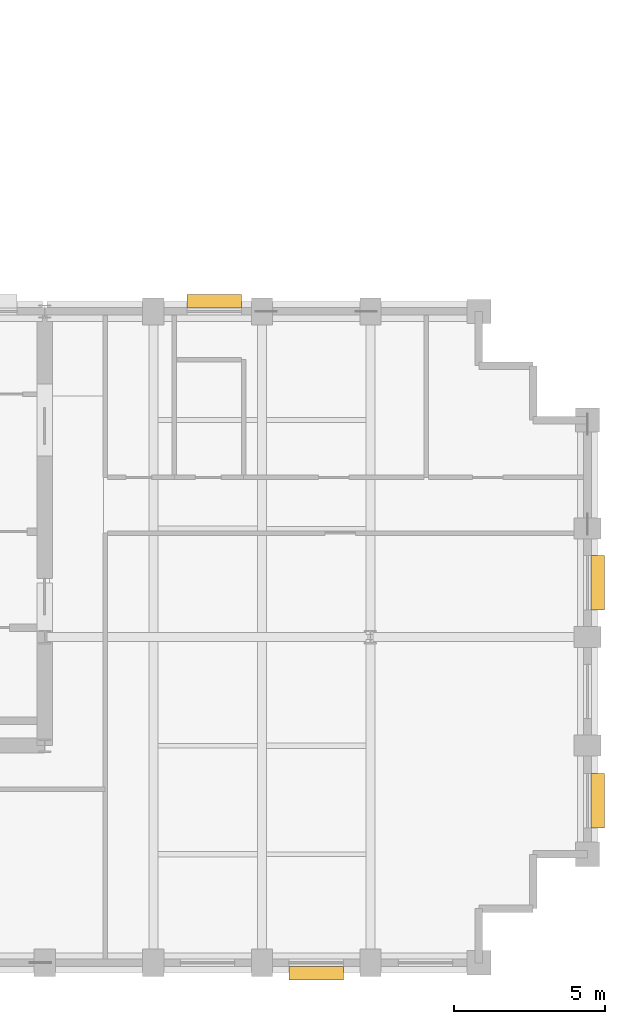
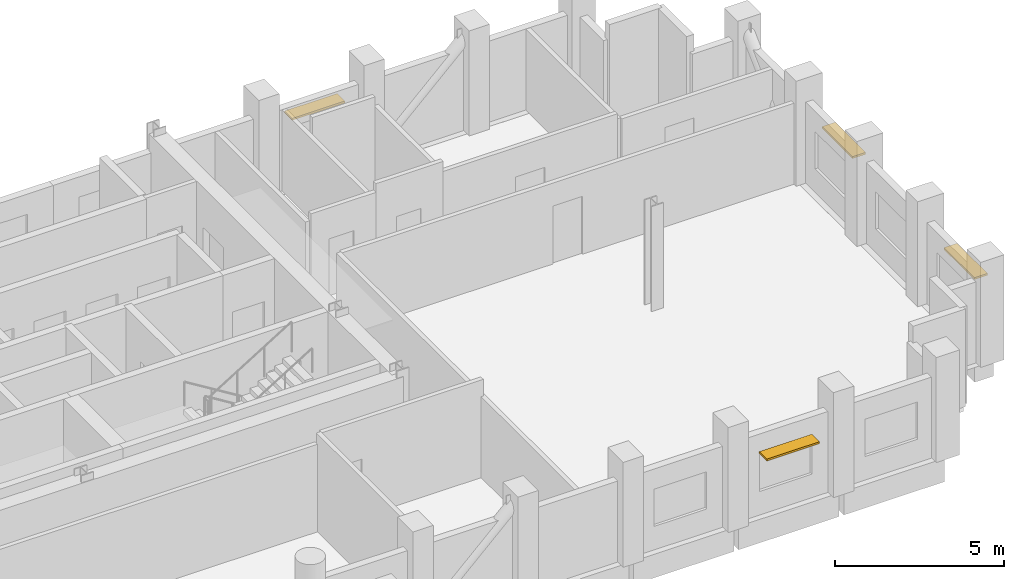
# One storey, part 8 of 8: 4 shading devices.
"""IFC4 building model written with IfcOpenShell, lengths in metres."""

from ifc_helpers import new_model, si_unit, direction, frame, origin, origin_2d, place, context, subcontext, project, spatial, rectangle, extrude, material, layer, layer_set, type_object, element, save


model = new_model("IFC4")

# Units and contexts
model_context = context("Model", 3, precision=1e-05, world=origin(), true_north=direction((0.0, 1.0)))
body_context = subcontext(model_context, "Body", "Model", "MODEL_VIEW")
ifc_project = project(units=[si_unit("LENGTHUNIT", "METRE"), si_unit("AREAUNIT", "SQUARE_METRE"), si_unit("VOLUMEUNIT", "CUBIC_METRE"), si_unit("PLANEANGLEUNIT", "RADIAN"), si_unit("MASSUNIT", "GRAM", prefix="KILO")], contexts=[model_context])

# Site, building, storey
site_placement = place(None, origin())
site = spatial("IfcSite", under=ifc_project, at=site_placement, CompositionType="ELEMENT")
building_placement = place(site_placement, origin())
building = spatial("IfcBuilding", under=site, at=building_placement, Name="Solnavia Interchange Tower", CompositionType="ELEMENT")
storey_placement = place(building_placement, frame((0.0, 0.0, 197.60009765625)))
storey = spatial("IfcBuildingStorey", under=building, at=storey_placement, Name="L49", CompositionType="ELEMENT", Elevation=197.60009765625)

# Shading devices
ifc_material = material(Name="Anodised Aluminium Sunshade", Category="aluminium")
ifc_layer = layer(ifc_material, 0.070068359375)
ifc_layer_set = layer_set([ifc_layer], Name="Anodised Aluminium Sunshade")
shading_device_type = type_object("IfcShadingDeviceType", Name="Sunshade-Band-450", PredefinedType="JALOUSIE", material=ifc_layer_set)
for number, where, z_axis, x_axis, name in (
    (1, (41.39990234375, 3.2548828125, 2.22509765625), (0.0, 0.0, 1.0), (-1.0, 0.0, 0.0), "SHD-L49-05 Horizontal sunshade band"),
    (2, (50.7451171875, 8.97509765625, 2.22509765625), (0.0, 0.0, 1.0), (0.0, -1.0, 0.0), "SHD-L49-11 Horizontal sunshade band"),
    (3, (50.7451171875, 16.199951171875, 2.22509765625), (0.0, 0.0, 1.0), (0.0, -1.0, 0.0), "SHD-L49-13 Horizontal sunshade band"),
    (4, (38.02001953125, 25.544921875, 2.22509765625), (0.0, 0.0, 1.0), (1.0, 0.0, 0.0), "SHD-L49-21 Horizontal sunshade band"),
):
    element("IfcShadingDevice", number, at=place(storey_placement, frame(where, z_axis=z_axis, x_axis=x_axis)), inside=storey, type_object=shading_device_type, Name=name, PredefinedType="JALOUSIE", context=body_context, shape_type="SweptSolid", body=[
        extrude(rectangle(XDim=1.800048828125, YDim=0.449951171875, at=origin_2d()), origin(), (0.0, 0.0, 1.0), 0.070068359375),
    ])

save(model, "model.ifc")
